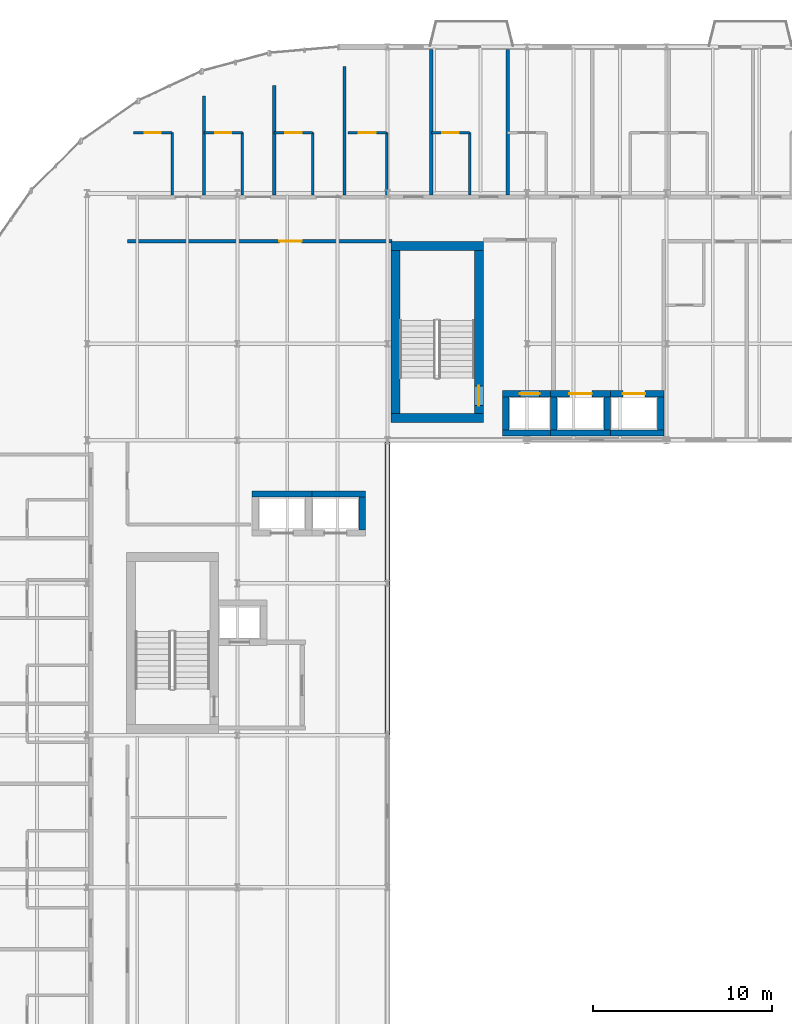
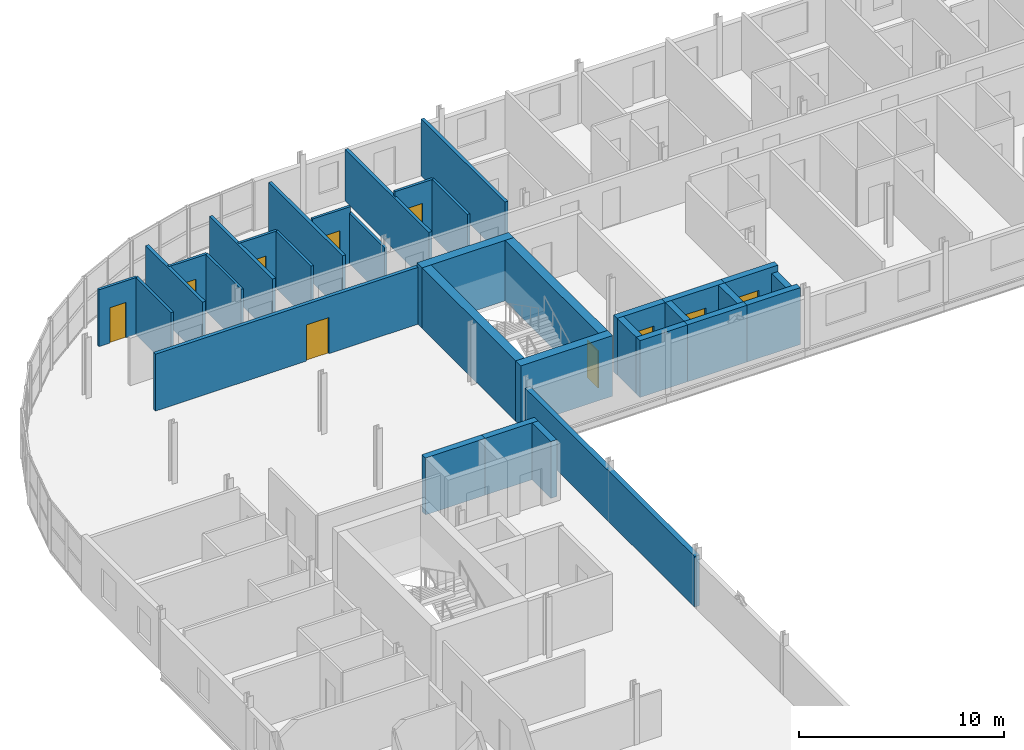
# One storey, part 15 of 25: 34 walls, 10 doors, 10 openings.
"""IFC4 building model written with IfcOpenShell, lengths in metres."""

from ifc_helpers import new_model, si_unit, direction, frame, frame_2d, origin, place, context, subcontext, project, spatial, rectangle, extrude, material, layer, layer_set, type_object, element, fill, save


model = new_model("IFC4")

# Units and contexts
model_context = context("Model", 3, precision=1e-05, world=origin(), true_north=direction((0.0, 1.0)))
body_context = subcontext(model_context, "Body", "Model", "MODEL_VIEW")
ifc_project = project(units=[si_unit("LENGTHUNIT", "METRE"), si_unit("AREAUNIT", "SQUARE_METRE"), si_unit("VOLUMEUNIT", "CUBIC_METRE"), si_unit("PLANEANGLEUNIT", "RADIAN"), si_unit("MASSUNIT", "GRAM", prefix="KILO")], contexts=[model_context])

# Site, building, storey
site_placement = place(None, origin())
site = spatial("IfcSite", under=ifc_project, at=site_placement, CompositionType="ELEMENT")
building_placement = place(site_placement, origin())
building = spatial("IfcBuilding", under=site, at=building_placement, Name="Sefraquen Railside Congress Hotel", CompositionType="ELEMENT")
storey_placement = place(building_placement, frame((0.0, 0.0, 39.0)))
storey = spatial("IfcBuildingStorey", under=building, at=storey_placement, Name="L09", CompositionType="ELEMENT", Elevation=39.0)

# Wall, opening, door
ifc_material_1 = material(Name="Concrete C50/60", Category="concrete")
ifc_layer_1 = layer(ifc_material_1, 0.35009765625)
ifc_layer_set_1 = layer_set([ifc_layer_1], Name="Concrete C50/60")
wall_type_1 = type_object("IfcWallType", Name="TW-CW-350", PredefinedType="SHEAR", material=ifc_layer_set_1)
wall_1_placement = place(storey_placement, frame((31.639892578125, 98.594970703125, 0.0), z_axis=(0.0, 0.0, 1.0), x_axis=(1.0, 0.0, 0.0)))
wall_1 = element("IfcWall", 1, at=wall_1_placement, inside=storey, type_object=wall_type_1, Name="Lift FL-02 shaft wall N L09", PredefinedType="SHEAR", context=body_context, shape_type="SweptSolid", body=[
    extrude(rectangle(XDim=2.690185546875, YDim=0.35009765625, at=frame_2d((1.34521484375, 0.0))), origin(), (0.0, 0.0, 1.0), 3.3798828125),
])
opening_1_placement = place(wall_1_placement, frame((0.969970703125, 0.0, 0.0)))
opening_1 = element("IfcOpeningElement", 2, at=opening_1_placement, cuts=wall_1, Name="Opening LD-01", PredefinedType="OPENING", context=body_context, shape_type="SweptSolid", body=[
    extrude(rectangle(XDim=1.10009765625, YDim=2.199951171875, at=frame_2d((0.550048828125, 1.10009765625))), frame((0.0, 0.18505859375, 0.0), z_axis=(0.0, -1.0, 0.0), x_axis=(1.0, 0.0, 0.0)), (0.0, 0.0, 1.0), 0.3701171875),
])
ifc_material_2 = material(Name="Brushed bronze stainless steel", Category="steel")
door_type_1 = type_object("IfcDoorType", Name="TD-LD-01", OperationType="NOTDEFINED", PredefinedType="DOOR", material=ifc_material_2)
door_1_placement = place(opening_1_placement, origin())
door_1 = element("IfcDoor", 3, at=door_1_placement, inside=storey, type_object=door_type_1, Name="Lift landing door FL-02 L09", OperationType="SLIDING_TO_LEFT", OverallHeight=2.199951171875, OverallWidth=1.10009765625, PredefinedType="DOOR", context=body_context, shape_type="SweptSolid", body=[
    extrude(rectangle(XDim=1.10009765625, YDim=2.199951171875, at=frame_2d((0.550048828125, 1.10009765625))), frame((0.0, 0.02490234375, 0.0), z_axis=(0.0, -1.0, 0.0), x_axis=(1.0, 0.0, 0.0)), (0.0, 0.0, 1.0), 0.050048828125),
])
fill(opening_1, door_1)

# Walls
wall_2_placement = place(storey_placement, frame((31.639892578125, 96.405029296875, 0.0), z_axis=(0.0, 0.0, 1.0), x_axis=(1.0, 0.0, 0.0)))
element("IfcWall", 4, at=wall_2_placement, inside=storey, type_object=wall_type_1, Name="Lift FL-02 shaft wall S L09", PredefinedType="SHEAR", context=body_context, shape_type="SweptSolid", body=[
    extrude(rectangle(XDim=2.690185546875, YDim=0.35009765625, at=frame_2d((1.34521484375, 0.0))), origin(), (0.0, 0.0, 1.0), 3.3798828125),
])
wall_3_placement = place(storey_placement, frame((31.81494140625, 96.580078125, 0.0), z_axis=(0.0, 0.0, 1.0), x_axis=(0.0, 1.0, 0.0)))
element("IfcWall", 5, at=wall_3_placement, inside=storey, type_object=wall_type_1, Name="Lift FL-02 shaft wall W L09", PredefinedType="SHEAR", context=body_context, shape_type="SweptSolid", body=[
    extrude(rectangle(XDim=1.83984375, YDim=0.35009765625, at=frame_2d((0.919921875, 0.0))), origin(), (0.0, 0.0, 1.0), 3.3798828125),
])
wall_4_placement = place(storey_placement, frame((17.6298828125, 92.9951171875, 0.0), z_axis=(0.0, 0.0, 1.0), x_axis=(1.0, 0.0, 0.0)))
element("IfcWall", 6, at=wall_4_placement, inside=storey, type_object=wall_type_1, Name="Lift PL-01 shaft wall N L09", PredefinedType="SHEAR", context=body_context, shape_type="SweptSolid", body=[
    extrude(rectangle(XDim=3.340087890625, YDim=0.35009765625, at=frame_2d((1.669921875, 0.0))), origin(), (0.0, 0.0, 1.0), 3.3798828125),
])
wall_5_placement = place(storey_placement, frame((20.969970703125, 92.9951171875, 0.0), z_axis=(0.0, 0.0, 1.0), x_axis=(1.0, 0.0, 0.0)))
element("IfcWall", 7, at=wall_5_placement, inside=storey, type_object=wall_type_1, Name="Lift PL-02 shaft wall N L09", PredefinedType="SHEAR", context=body_context, shape_type="SweptSolid", body=[
    extrude(rectangle(XDim=2.989990234375, YDim=0.35009765625, at=frame_2d((1.4951171875, 0.0))), origin(), (0.0, 0.0, 1.0), 3.3798828125),
])
wall_6_placement = place(storey_placement, frame((23.784912109375, 90.97998046875, 0.0), z_axis=(0.0, 0.0, 1.0), x_axis=(0.0, 1.0, 0.0)))
element("IfcWall", 8, at=wall_6_placement, inside=storey, type_object=wall_type_1, Name="Lift PL-02 shaft wall E L09", PredefinedType="SHEAR", context=body_context, shape_type="SweptSolid", body=[
    extrude(rectangle(XDim=1.840087890625, YDim=0.35009765625, at=frame_2d((0.919921875, 0.0))), origin(), (0.0, 0.0, 1.0), 3.3798828125),
])

# Wall, opening, door
wall_7_placement = place(storey_placement, frame((34.330078125, 98.594970703125, 0.0), z_axis=(0.0, 0.0, 1.0), x_axis=(1.0, 0.0, 0.0)))
wall_7 = element("IfcWall", 9, at=wall_7_placement, inside=storey, type_object=wall_type_1, Name="Lift PL-03 shaft wall N L09", PredefinedType="SHEAR", context=body_context, shape_type="SweptSolid", body=[
    extrude(rectangle(XDim=3.33984375, YDim=0.35009765625, at=frame_2d((1.669921875, 0.0))), origin(), (0.0, 0.0, 1.0), 3.3798828125),
])
opening_2_placement = place(wall_7_placement, frame((1.044921875, 0.0, 0.0)))
opening_2 = element("IfcOpeningElement", 10, at=opening_2_placement, cuts=wall_7, Name="Opening LD-02", PredefinedType="OPENING", context=body_context, shape_type="SweptSolid", body=[
    extrude(rectangle(XDim=1.25, YDim=2.25, at=frame_2d((0.625, 1.125))), frame((0.0, 0.18505859375, 0.0), z_axis=(0.0, -1.0, 0.0), x_axis=(1.0, 0.0, 0.0)), (0.0, 0.0, 1.0), 0.3701171875),
])
ifc_material_3 = material(Name="Brushed stainless steel", Category="steel")
door_type_2 = type_object("IfcDoorType", Name="TD-LD-02", OperationType="NOTDEFINED", PredefinedType="DOOR", material=ifc_material_3)
door_2_placement = place(opening_2_placement, origin())
door_2 = element("IfcDoor", 11, at=door_2_placement, inside=storey, type_object=door_type_2, Name="Lift landing door PL-03 L09", OperationType="SLIDING_TO_LEFT", OverallHeight=2.25, OverallWidth=1.25, PredefinedType="DOOR", context=body_context, shape_type="SweptSolid", body=[
    extrude(rectangle(XDim=1.25, YDim=2.25, at=frame_2d((0.625, 1.125))), frame((0.0, 0.02490234375, 0.0), z_axis=(0.0, -1.0, 0.0), x_axis=(1.0, 0.0, 0.0)), (0.0, 0.0, 1.0), 0.050048828125),
])
fill(opening_2, door_2)

# Walls
wall_8_placement = place(storey_placement, frame((34.330078125, 96.405029296875, 0.0), z_axis=(0.0, 0.0, 1.0), x_axis=(1.0, 0.0, 0.0)))
element("IfcWall", 12, at=wall_8_placement, inside=storey, type_object=wall_type_1, Name="Lift PL-03 shaft wall S L09", PredefinedType="SHEAR", context=body_context, shape_type="SweptSolid", body=[
    extrude(rectangle(XDim=3.33984375, YDim=0.35009765625, at=frame_2d((1.669921875, 0.0))), origin(), (0.0, 0.0, 1.0), 3.3798828125),
])
for number, where, z_axis, x_axis, name in (
    (13, (34.5048828125, 96.580078125, 0.0), (0.0, 0.0, 1.0), (0.0, 1.0, 0.0), "Lift PL-03 shaft wall W L09"),
    (14, (37.4951171875, 96.580078125, 0.0), (0.0, 0.0, 1.0), (0.0, 1.0, 0.0), "Lift PL-03 shaft wall E L09"),
):
    element("IfcWall", number, at=place(storey_placement, frame(where, z_axis=z_axis, x_axis=x_axis)), inside=storey, type_object=wall_type_1, Name=name, PredefinedType="SHEAR", context=body_context, shape_type="SweptSolid", body=[
        extrude(rectangle(XDim=1.83984375, YDim=0.35009765625, at=frame_2d((0.919921875, 0.0))), origin(), (0.0, 0.0, 1.0), 3.3798828125),
    ])

# Wall, opening, door
wall_9_placement = place(storey_placement, frame((37.669921875, 98.594970703125, 0.0), z_axis=(0.0, 0.0, 1.0), x_axis=(1.0, 0.0, 0.0)))
wall_9 = element("IfcWall", 15, at=wall_9_placement, inside=storey, type_object=wall_type_1, Name="Lift PL-04 shaft wall N L09", PredefinedType="SHEAR", context=body_context, shape_type="SweptSolid", body=[
    extrude(rectangle(XDim=2.989990234375, YDim=0.35009765625, at=frame_2d((1.4951171875, 0.0))), origin(), (0.0, 0.0, 1.0), 3.3798828125),
])
opening_3_placement = place(wall_9_placement, frame((0.695068359375, 0.0, 0.0)))
opening_3 = element("IfcOpeningElement", 16, at=opening_3_placement, cuts=wall_9, Name="Opening LD-02", PredefinedType="OPENING", context=body_context, shape_type="SweptSolid", body=[
    extrude(rectangle(XDim=1.25, YDim=2.25, at=frame_2d((0.625, 1.125))), frame((0.0, 0.18505859375, 0.0), z_axis=(0.0, -1.0, 0.0), x_axis=(1.0, 0.0, 0.0)), (0.0, 0.0, 1.0), 0.3701171875),
])
door_3_placement = place(opening_3_placement, origin())
door_3 = element("IfcDoor", 17, at=door_3_placement, inside=storey, type_object=door_type_2, Name="Lift landing door PL-04 L09", OperationType="SLIDING_TO_LEFT", OverallHeight=2.25, OverallWidth=1.25, PredefinedType="DOOR", context=body_context, shape_type="SweptSolid", body=[
    extrude(rectangle(XDim=1.25, YDim=2.25, at=frame_2d((0.625, 1.125))), frame((0.0, 0.02490234375, 0.0), z_axis=(0.0, -1.0, 0.0), x_axis=(1.0, 0.0, 0.0)), (0.0, 0.0, 1.0), 0.050048828125),
])
fill(opening_3, door_3)

# Walls
wall_10_placement = place(storey_placement, frame((37.669921875, 96.405029296875, 0.0), z_axis=(0.0, 0.0, 1.0), x_axis=(1.0, 0.0, 0.0)))
element("IfcWall", 18, at=wall_10_placement, inside=storey, type_object=wall_type_1, Name="Lift PL-04 shaft wall S L09", PredefinedType="SHEAR", context=body_context, shape_type="SweptSolid", body=[
    extrude(rectangle(XDim=2.989990234375, YDim=0.35009765625, at=frame_2d((1.4951171875, 0.0))), origin(), (0.0, 0.0, 1.0), 3.3798828125),
])
wall_11_placement = place(storey_placement, frame((40.485107421875, 96.580078125, 0.0), z_axis=(0.0, 0.0, 1.0), x_axis=(0.0, 1.0, 0.0)))
element("IfcWall", 19, at=wall_11_placement, inside=storey, type_object=wall_type_1, Name="Lift PL-04 shaft wall E L09", PredefinedType="SHEAR", context=body_context, shape_type="SweptSolid", body=[
    extrude(rectangle(XDim=1.83984375, YDim=0.35009765625, at=frame_2d((0.919921875, 0.0))), origin(), (0.0, 0.0, 1.0), 3.010009765625),
])
ifc_layer_2 = layer(ifc_material_1, 0.5)
ifc_layer_set_2 = layer_set([ifc_layer_2], Name="Concrete C50/60")
wall_type_2 = type_object("IfcWallType", Name="TW-CW-500", PredefinedType="SHEAR", material=ifc_layer_set_2)
for number, where, z_axis, x_axis, name in (
    (20, (25.39990234375, 106.862060546875, 0.0), (0.0, 0.0, 1.0), (1.0, 0.0, 0.0), "Core shear wall ST-H02 N L09"),
    (21, (25.39990234375, 97.25, 0.0), (0.0, 0.0, 1.0), (1.0, 0.0, 0.0), "Core shear wall ST-H02 S L09"),
):
    element("IfcWall", number, at=place(storey_placement, frame(where, z_axis=z_axis, x_axis=x_axis)), inside=storey, type_object=wall_type_2, Name=name, PredefinedType="SHEAR", context=body_context, shape_type="SweptSolid", body=[
        extrude(rectangle(XDim=5.16015625, YDim=0.5, at=frame_2d((2.580078125, 0.0))), origin(), (0.0, 0.0, 1.0), 3.60009765625),
    ])
wall_12_placement = place(storey_placement, frame((25.64990234375, 97.5, 0.0), z_axis=(0.0, 0.0, 1.0), x_axis=(0.0, 1.0, 0.0)))
element("IfcWall", 22, at=wall_12_placement, inside=storey, type_object=wall_type_2, Name="Core shear wall ST-H02 W L09", PredefinedType="SHEAR", context=body_context, shape_type="SweptSolid", body=[
    extrude(rectangle(XDim=9.112060546875, YDim=0.5, at=frame_2d((4.55615234375, 0.0))), origin(), (0.0, 0.0, 1.0), 3.60009765625),
])

# Wall, opening, door
wall_13_placement = place(storey_placement, frame((30.31005859375, 97.5, 0.0), z_axis=(0.0, 0.0, 1.0), x_axis=(0.0, 1.0, 0.0)))
wall_13 = element("IfcWall", 23, at=wall_13_placement, inside=storey, type_object=wall_type_2, Name="Core shear wall ST-H02 E L09", PredefinedType="SHEAR", context=body_context, shape_type="SweptSolid", body=[
    extrude(rectangle(XDim=9.112060546875, YDim=0.5, at=frame_2d((4.55615234375, 0.0))), origin(), (0.0, 0.0, 1.0), 3.60009765625),
])
opening_4_placement = place(wall_13_placement, frame((0.43994140625, 0.0, 0.0)))
opening_4 = element("IfcOpeningElement", 24, at=opening_4_placement, cuts=wall_13, Name="Opening FD-04", PredefinedType="OPENING", context=body_context, shape_type="SweptSolid", body=[
    extrude(rectangle(XDim=1.10009765625, YDim=2.199951171875, at=frame_2d((0.550048828125, 1.10009765625))), frame((0.0, 0.260009765625, 0.0), z_axis=(0.0, -1.0, 0.0), x_axis=(1.0, 0.0, 0.0)), (0.0, 0.0, 1.0), 0.52001953125),
])
ifc_material_4 = material(Name="Fire-rated steel", Category="steel")
door_type_3 = type_object("IfcDoorType", Name="TD-FD-04", OperationType="NOTDEFINED", PredefinedType="DOOR", material=ifc_material_4)
door_4_placement = place(opening_4_placement, origin())
door_4 = element("IfcDoor", 25, at=door_4_placement, inside=storey, type_object=door_type_3, Name="Pressurized stair ST-H02 fire door L09", OperationType="SINGLE_SWING_LEFT", OverallHeight=2.199951171875, OverallWidth=1.10009765625, PredefinedType="DOOR", context=body_context, shape_type="SweptSolid", body=[
    extrude(rectangle(XDim=1.10009765625, YDim=2.199951171875, at=frame_2d((0.550048828125, 1.10009765625))), frame((0.0, 0.02490234375, 0.0), z_axis=(0.0, -1.0, 0.0), x_axis=(1.0, 0.0, 0.0)), (0.0, 0.0, 1.0), 0.050048828125),
])
fill(opening_4, door_4)

# Walls
ifc_material_5 = material(Name="Ochre Rabat calcarenite limestone and Concrete C40/50 backing", Category="masonry")
ifc_layer_3 = layer(ifc_material_5, 0.280029296875)
ifc_layer_set_3 = layer_set([ifc_layer_3], Name="Ochre Rabat calcarenite limestone and Concrete C40/50 backing")
wall_type_3 = type_object("IfcWallType", Name="TW-EW-280", PredefinedType="STANDARD", material=ifc_layer_set_3)
wall_14_placement = place(storey_placement, frame((25.199951171875, 79.5, 0.0), z_axis=(0.0, 0.0, 1.0), x_axis=(0.0, 1.0, 0.0)))
element("IfcWall", 26, at=wall_14_placement, inside=storey, type_object=wall_type_3, Name="Hotel L09 courtyard return wall", PredefinedType="STANDARD", context=body_context, shape_type="SweptSolid", body=[
    extrude(rectangle(XDim=16.5, YDim=0.280029296875, at=frame_2d((8.25, 0.0))), origin(), (0.0, 0.0, 1.0), 3.010009765625),
])
ifc_material_6 = material(Name="Moisture-resistant gypsum board", Category="gypsum")
ifc_layer_4 = layer(ifc_material_6, 0.139892578125)
ifc_layer_set_4 = layer_set([ifc_layer_4], Name="Moisture-resistant gypsum board")
wall_type_4 = type_object("IfcWallType", Name="TW-PW-140", PredefinedType="PARTITIONING", material=ifc_layer_set_4)
wall_15_placement = place(storey_placement, frame((25.14990234375, 109.699951171875, 0.0), z_axis=(0.0, 0.0, 1.0), x_axis=(0.0, 1.0, 0.0)))
element("IfcWall", 27, at=wall_15_placement, inside=storey, type_object=wall_type_4, Name="En-suite bathroom east wall RM-001", PredefinedType="PARTITIONING", context=body_context, shape_type="SweptSolid", body=[
    extrude(rectangle(XDim=3.5, YDim=0.139892578125, at=frame_2d((1.75, 0.0))), origin(), (0.0, 0.0, 1.0), 3.010009765625),
])

# Wall, opening, door
wall_16_placement = place(storey_placement, frame((23.0, 113.199951171875, 0.0), z_axis=(0.0, 0.0, 1.0), x_axis=(1.0, 0.0, 0.0)))
wall_16 = element("IfcWall", 28, at=wall_16_placement, inside=storey, type_object=wall_type_4, Name="En-suite bathroom north wall RM-001", PredefinedType="PARTITIONING", context=body_context, shape_type="SweptSolid", body=[
    extrude(rectangle(XDim=2.14990234375, YDim=0.139892578125, at=frame_2d((1.074951171875, 0.0))), origin(), (0.0, 0.0, 1.0), 3.3798828125),
])
opening_5_placement = place(wall_16_placement, frame((0.60498046875, 0.0, 0.0)))
opening_5 = element("IfcOpeningElement", 29, at=opening_5_placement, cuts=wall_16, Name="Opening ID-01", PredefinedType="OPENING", context=body_context, shape_type="SweptSolid", body=[
    extrude(rectangle(XDim=0.93994140625, YDim=2.14990234375, at=frame_2d((0.469970703125, 1.074951171875))), frame((0.0, 0.079833984375, 0.0), z_axis=(0.0, -1.0, 0.0), x_axis=(1.0, 0.0, 0.0)), (0.0, 0.0, 1.0), 0.159912109375),
])
ifc_material_7 = material(Name="Lacquered cedar joinery", Category="wood")
door_type_4 = type_object("IfcDoorType", Name="TD-ID-01", OperationType="NOTDEFINED", PredefinedType="DOOR", material=ifc_material_7)
door_5_placement = place(opening_5_placement, origin())
door_5 = element("IfcDoor", 30, at=door_5_placement, inside=storey, type_object=door_type_4, Name="En-suite bathroom door RM-001", OperationType="SINGLE_SWING_LEFT", OverallHeight=2.14990234375, OverallWidth=0.93994140625, PredefinedType="DOOR", context=body_context, shape_type="SweptSolid", body=[
    extrude(rectangle(XDim=0.93994140625, YDim=2.14990234375, at=frame_2d((0.469970703125, 1.074951171875))), frame((0.0, 0.02490234375, 0.0), z_axis=(0.0, -1.0, 0.0), x_axis=(1.0, 0.0, 0.0)), (0.0, 0.0, 1.0), 0.050048828125),
])
fill(opening_5, door_5)

# Wall
wall_17_placement = place(storey_placement, frame((29.800048828125, 109.699951171875, 0.0), z_axis=(0.0, 0.0, 1.0), x_axis=(0.0, 1.0, 0.0)))
element("IfcWall", 31, at=wall_17_placement, inside=storey, type_object=wall_type_4, Name="En-suite bathroom east wall RM-002", PredefinedType="PARTITIONING", context=body_context, shape_type="SweptSolid", body=[
    extrude(rectangle(XDim=3.5, YDim=0.139892578125, at=frame_2d((1.75, 0.0))), origin(), (0.0, 0.0, 1.0), 3.3798828125),
])

# Wall, opening, door
wall_18_placement = place(storey_placement, frame((27.64990234375, 113.199951171875, 0.0), z_axis=(0.0, 0.0, 1.0), x_axis=(1.0, 0.0, 0.0)))
wall_18 = element("IfcWall", 32, at=wall_18_placement, inside=storey, type_object=wall_type_4, Name="En-suite bathroom north wall RM-002", PredefinedType="PARTITIONING", context=body_context, shape_type="SweptSolid", body=[
    extrude(rectangle(XDim=2.150146484375, YDim=0.139892578125, at=frame_2d((1.0751953125, 0.0))), origin(), (0.0, 0.0, 1.0), 3.3798828125),
])
opening_6_placement = place(wall_18_placement, frame((0.60498046875, 0.0, 0.0)))
opening_6 = element("IfcOpeningElement", 33, at=opening_6_placement, cuts=wall_18, Name="Opening ID-01", PredefinedType="OPENING", context=body_context, shape_type="SweptSolid", body=[
    extrude(rectangle(XDim=0.93994140625, YDim=2.14990234375, at=frame_2d((0.469970703125, 1.074951171875))), frame((0.0, 0.079833984375, 0.0), z_axis=(0.0, -1.0, 0.0), x_axis=(1.0, 0.0, 0.0)), (0.0, 0.0, 1.0), 0.159912109375),
])
door_6_placement = place(opening_6_placement, origin())
door_6 = element("IfcDoor", 34, at=door_6_placement, inside=storey, type_object=door_type_4, Name="En-suite bathroom door RM-002", OperationType="SINGLE_SWING_LEFT", OverallHeight=2.14990234375, OverallWidth=0.93994140625, PredefinedType="DOOR", context=body_context, shape_type="SweptSolid", body=[
    extrude(rectangle(XDim=0.93994140625, YDim=2.14990234375, at=frame_2d((0.469970703125, 1.074951171875))), frame((0.0, 0.02490234375, 0.0), z_axis=(0.0, -1.0, 0.0), x_axis=(1.0, 0.0, 0.0)), (0.0, 0.0, 1.0), 0.050048828125),
])
fill(opening_6, door_6)

# Wall
wall_19_placement = place(storey_placement, frame((13.14990234375, 109.699951171875, 0.0), z_axis=(0.0, 0.0, 1.0), x_axis=(0.0, 1.0, 0.0)))
element("IfcWall", 35, at=wall_19_placement, inside=storey, type_object=wall_type_4, Name="En-suite bathroom east wall RM-033", PredefinedType="PARTITIONING", context=body_context, shape_type="SweptSolid", body=[
    extrude(rectangle(XDim=3.5, YDim=0.139892578125, at=frame_2d((1.75, 0.0))), origin(), (0.0, 0.0, 1.0), 3.3798828125),
])

# Wall, opening, door
wall_20_placement = place(storey_placement, frame((11.0, 113.199951171875, 0.0), z_axis=(0.0, 0.0, 1.0), x_axis=(1.0, 0.0, 0.0)))
wall_20 = element("IfcWall", 36, at=wall_20_placement, inside=storey, type_object=wall_type_4, Name="En-suite bathroom north wall RM-033", PredefinedType="PARTITIONING", context=body_context, shape_type="SweptSolid", body=[
    extrude(rectangle(XDim=2.14990234375, YDim=0.139892578125, at=frame_2d((1.074951171875, 0.0))), origin(), (0.0, 0.0, 1.0), 3.3798828125),
])
opening_7_placement = place(wall_20_placement, frame((0.625, 0.0, 0.0)))
opening_7 = element("IfcOpeningElement", 37, at=opening_7_placement, cuts=wall_20, Name="Opening ID-02", PredefinedType="OPENING", context=body_context, shape_type="SweptSolid", body=[
    extrude(rectangle(XDim=0.89990234375, YDim=2.10009765625, at=frame_2d((0.449951171875, 1.050048828125))), frame((0.0, 0.079833984375, 0.0), z_axis=(0.0, -1.0, 0.0), x_axis=(1.0, 0.0, 0.0)), (0.0, 0.0, 1.0), 0.159912109375),
])
door_type_5 = type_object("IfcDoorType", Name="TD-ID-02", OperationType="NOTDEFINED", PredefinedType="DOOR", material=ifc_material_7)
door_7_placement = place(opening_7_placement, origin())
door_7 = element("IfcDoor", 38, at=door_7_placement, inside=storey, type_object=door_type_5, Name="En-suite bathroom door RM-033", OperationType="SINGLE_SWING_RIGHT", OverallHeight=2.10009765625, OverallWidth=0.89990234375, PredefinedType="DOOR", context=body_context, shape_type="SweptSolid", body=[
    extrude(rectangle(XDim=0.89990234375, YDim=2.10009765625, at=frame_2d((0.449951171875, 1.050048828125))), frame((0.0, 0.02490234375, 0.0), z_axis=(0.0, -1.0, 0.0), x_axis=(1.0, 0.0, 0.0)), (0.0, 0.0, 1.0), 0.050048828125),
])
fill(opening_7, door_7)

# Wall
wall_21_placement = place(storey_placement, frame((17.0830078125, 109.699951171875, 0.0), z_axis=(0.0, 0.0, 1.0), x_axis=(0.0, 1.0, 0.0)))
element("IfcWall", 39, at=wall_21_placement, inside=storey, type_object=wall_type_4, Name="En-suite bathroom east wall RM-034", PredefinedType="PARTITIONING", context=body_context, shape_type="SweptSolid", body=[
    extrude(rectangle(XDim=3.5, YDim=0.139892578125, at=frame_2d((1.75, 0.0))), origin(), (0.0, 0.0, 1.0), 3.3798828125),
])

# Wall, opening, door
wall_22_placement = place(storey_placement, frame((14.93310546875, 113.199951171875, 0.0), z_axis=(0.0, 0.0, 1.0), x_axis=(1.0, 0.0, 0.0)))
wall_22 = element("IfcWall", 40, at=wall_22_placement, inside=storey, type_object=wall_type_4, Name="En-suite bathroom north wall RM-034", PredefinedType="PARTITIONING", context=body_context, shape_type="SweptSolid", body=[
    extrude(rectangle(XDim=2.14990234375, YDim=0.139892578125, at=frame_2d((1.074951171875, 0.0))), origin(), (0.0, 0.0, 1.0), 3.3798828125),
])
opening_8_placement = place(wall_22_placement, frame((0.625, 0.0, 0.0)))
opening_8 = element("IfcOpeningElement", 41, at=opening_8_placement, cuts=wall_22, Name="Opening ID-02", PredefinedType="OPENING", context=body_context, shape_type="SweptSolid", body=[
    extrude(rectangle(XDim=0.89990234375, YDim=2.10009765625, at=frame_2d((0.449951171875, 1.050048828125))), frame((0.0, 0.079833984375, 0.0), z_axis=(0.0, -1.0, 0.0), x_axis=(1.0, 0.0, 0.0)), (0.0, 0.0, 1.0), 0.159912109375),
])
door_8_placement = place(opening_8_placement, origin())
door_8 = element("IfcDoor", 42, at=door_8_placement, inside=storey, type_object=door_type_5, Name="En-suite bathroom door RM-034", OperationType="SINGLE_SWING_LEFT", OverallHeight=2.10009765625, OverallWidth=0.89990234375, PredefinedType="DOOR", context=body_context, shape_type="SweptSolid", body=[
    extrude(rectangle(XDim=0.89990234375, YDim=2.10009765625, at=frame_2d((0.449951171875, 1.050048828125))), frame((0.0, 0.02490234375, 0.0), z_axis=(0.0, -1.0, 0.0), x_axis=(1.0, 0.0, 0.0)), (0.0, 0.0, 1.0), 0.050048828125),
])
fill(opening_8, door_8)

# Wall
wall_23_placement = place(storey_placement, frame((21.01708984375, 109.699951171875, 0.0), z_axis=(0.0, 0.0, 1.0), x_axis=(0.0, 1.0, 0.0)))
element("IfcWall", 43, at=wall_23_placement, inside=storey, type_object=wall_type_4, Name="En-suite bathroom east wall RM-035", PredefinedType="PARTITIONING", context=body_context, shape_type="SweptSolid", body=[
    extrude(rectangle(XDim=3.5, YDim=0.139892578125, at=frame_2d((1.75, 0.0))), origin(), (0.0, 0.0, 1.0), 3.3798828125),
])

# Wall, opening, door
wall_24_placement = place(storey_placement, frame((18.866943359375, 113.199951171875, 0.0), z_axis=(0.0, 0.0, 1.0), x_axis=(1.0, 0.0, 0.0)))
wall_24 = element("IfcWall", 44, at=wall_24_placement, inside=storey, type_object=wall_type_4, Name="En-suite bathroom north wall RM-035", PredefinedType="PARTITIONING", context=body_context, shape_type="SweptSolid", body=[
    extrude(rectangle(XDim=2.150146484375, YDim=0.139892578125, at=frame_2d((1.0751953125, 0.0))), origin(), (0.0, 0.0, 1.0), 3.3798828125),
])
opening_9_placement = place(wall_24_placement, frame((0.625, 0.0, 0.0)))
opening_9 = element("IfcOpeningElement", 45, at=opening_9_placement, cuts=wall_24, Name="Opening ID-02", PredefinedType="OPENING", context=body_context, shape_type="SweptSolid", body=[
    extrude(rectangle(XDim=0.89990234375, YDim=2.10009765625, at=frame_2d((0.449951171875, 1.050048828125))), frame((0.0, 0.079833984375, 0.0), z_axis=(0.0, -1.0, 0.0), x_axis=(1.0, 0.0, 0.0)), (0.0, 0.0, 1.0), 0.159912109375),
])
door_9_placement = place(opening_9_placement, origin())
door_9 = element("IfcDoor", 46, at=door_9_placement, inside=storey, type_object=door_type_5, Name="En-suite bathroom door RM-035", OperationType="SINGLE_SWING_RIGHT", OverallHeight=2.10009765625, OverallWidth=0.89990234375, PredefinedType="DOOR", context=body_context, shape_type="SweptSolid", body=[
    extrude(rectangle(XDim=0.89990234375, YDim=2.10009765625, at=frame_2d((0.449951171875, 1.050048828125))), frame((0.0, 0.02490234375, 0.0), z_axis=(0.0, -1.0, 0.0), x_axis=(1.0, 0.0, 0.0)), (0.0, 0.0, 1.0), 0.050048828125),
])
fill(opening_9, door_9)

# Walls
ifc_material_8 = material(Name="Acoustic gypsum board on metal stud", Category="gypsum")
ifc_layer_5 = layer(ifc_material_8, 0.179931640625)
ifc_layer_set_5 = layer_set([ifc_layer_5], Name="Acoustic gypsum board on metal stud")
wall_type_5 = type_object("IfcWallType", Name="TW-PW-180", PredefinedType="PARTITIONING", material=ifc_layer_set_5)
wall_25_placement = place(storey_placement, frame((27.64990234375, 109.699951171875, 0.0), z_axis=(0.0, 0.0, 1.0), x_axis=(0.0, 1.0, 0.0)))
element("IfcWall", 47, at=wall_25_placement, inside=storey, type_object=wall_type_5, Name="Guest room demising wall RM-001", PredefinedType="PARTITIONING", context=body_context, shape_type="SweptSolid", body=[
    extrude(rectangle(XDim=8.150146484375, YDim=0.179931640625, at=frame_2d((4.0751953125, 0.0))), origin(), (0.0, 0.0, 1.0), 3.070068359375),
])
wall_26_placement = place(storey_placement, frame((31.925048828125, 109.699951171875, 0.0), z_axis=(0.0, 0.0, 1.0), x_axis=(0.0, 1.0, 0.0)))
element("IfcWall", 48, at=wall_26_placement, inside=storey, type_object=wall_type_5, Name="Guest room demising wall RM-002", PredefinedType="PARTITIONING", context=body_context, shape_type="SweptSolid", body=[
    extrude(rectangle(XDim=8.150146484375, YDim=0.179931640625, at=frame_2d((4.0751953125, 0.0))), origin(), (0.0, 0.0, 1.0), 3.3798828125),
])
wall_27_placement = place(storey_placement, frame((14.93310546875, 109.699951171875, 0.0), z_axis=(0.0, 0.0, 1.0), x_axis=(0.0, 1.0, 0.0)))
element("IfcWall", 49, at=wall_27_placement, inside=storey, type_object=wall_type_5, Name="Guest room demising wall RM-033", PredefinedType="PARTITIONING", context=body_context, shape_type="SweptSolid", body=[
    extrude(rectangle(XDim=5.550048828125, YDim=0.179931640625, at=frame_2d((2.77490234375, 0.0))), origin(), (0.0, 0.0, 1.0), 3.3798828125),
])
wall_28_placement = place(storey_placement, frame((18.866943359375, 109.699951171875, 0.0), z_axis=(0.0, 0.0, 1.0), x_axis=(0.0, 1.0, 0.0)))
element("IfcWall", 50, at=wall_28_placement, inside=storey, type_object=wall_type_5, Name="Guest room demising wall RM-034", PredefinedType="PARTITIONING", context=body_context, shape_type="SweptSolid", body=[
    extrude(rectangle(XDim=6.150146484375, YDim=0.179931640625, at=frame_2d((3.0751953125, 0.0))), origin(), (0.0, 0.0, 1.0), 3.3798828125),
])
wall_29_placement = place(storey_placement, frame((22.800048828125, 109.699951171875, 0.0), z_axis=(0.0, 0.0, 1.0), x_axis=(0.0, 1.0, 0.0)))
element("IfcWall", 51, at=wall_29_placement, inside=storey, type_object=wall_type_5, Name="Guest room demising wall RM-035", PredefinedType="PARTITIONING", context=body_context, shape_type="SweptSolid", body=[
    extrude(rectangle(XDim=7.199951171875, YDim=0.179931640625, at=frame_2d((3.60009765625, 0.0))), origin(), (0.0, 0.0, 1.0), 3.3798828125),
])

# Wall, opening, door
ifc_layer_6 = layer(ifc_material_8, 0.199951171875)
ifc_layer_set_6 = layer_set([ifc_layer_6], Name="Acoustic gypsum board on metal stud")
wall_type_6 = type_object("IfcWallType", Name="TW-PW-200", PredefinedType="PARTITIONING", material=ifc_layer_set_6)
wall_30_placement = place(storey_placement, frame((10.64990234375, 107.1201171875, 0.0), z_axis=(0.0, 0.0, 1.0), x_axis=(1.0, 0.0, 0.0)))
wall_30 = element("IfcWall", 52, at=wall_30_placement, inside=storey, type_object=wall_type_6, Name="Hotel L09 south-west corridor fire-rated partition", PredefinedType="PARTITIONING", context=body_context, shape_type="SweptSolid", body=[
    extrude(rectangle(XDim=14.800048828125, YDim=0.199951171875, at=frame_2d((7.39990234375, 0.0))), origin(), (0.0, 0.0, 1.0), 3.3798828125),
])
opening_10_placement = place(wall_30_placement, frame((8.5, 0.0, 0.0)))
opening_10 = element("IfcOpeningElement", 53, at=opening_10_placement, cuts=wall_30, Name="Opening ID-05", PredefinedType="OPENING", context=body_context, shape_type="SweptSolid", body=[
    extrude(rectangle(XDim=1.25, YDim=2.14990234375, at=frame_2d((0.625, 1.074951171875))), frame((0.0, 0.10986328125, 0.0), z_axis=(0.0, -1.0, 0.0), x_axis=(1.0, 0.0, 0.0)), (0.0, 0.0, 1.0), 0.219970703125),
])
ifc_material_9 = material(Name="Brushed steel", Category="steel")
door_type_6 = type_object("IfcDoorType", Name="TD-ID-05", OperationType="NOTDEFINED", PredefinedType="DOOR", material=ifc_material_9)
door_10_placement = place(opening_10_placement, frame((1.25, 0.0, 0.0), z_axis=(0.0, 0.0, 1.0), x_axis=(-1.0, 0.0, 0.0)))
door_10 = element("IfcDoor", 54, at=door_10_placement, inside=storey, type_object=door_type_6, Name="Valet pantry service door L09", OperationType="SINGLE_SWING_LEFT", OverallHeight=2.14990234375, OverallWidth=1.25, PredefinedType="DOOR", context=body_context, shape_type="SweptSolid", body=[
    extrude(rectangle(XDim=1.25, YDim=2.14990234375, at=frame_2d((0.625, 1.074951171875))), frame((0.0, 0.02490234375, 0.0), z_axis=(0.0, -1.0, 0.0), x_axis=(1.0, 0.0, 0.0)), (0.0, 0.0, 1.0), 0.050048828125),
])
fill(opening_10, door_10)

save(model, "model.ifc")
